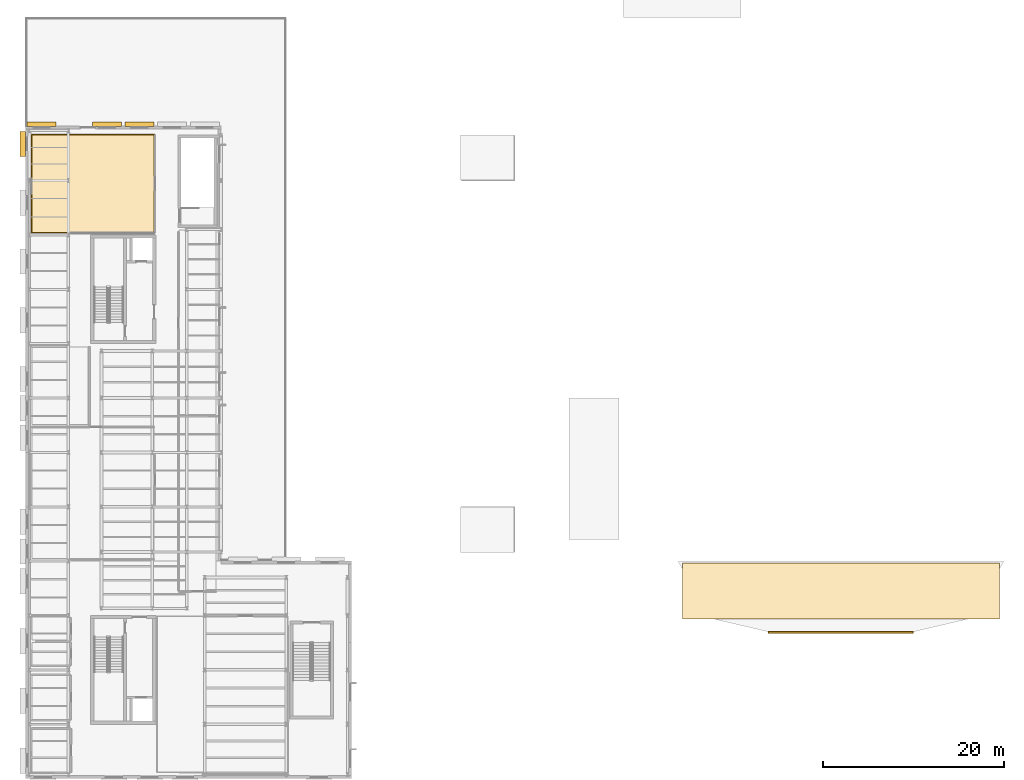
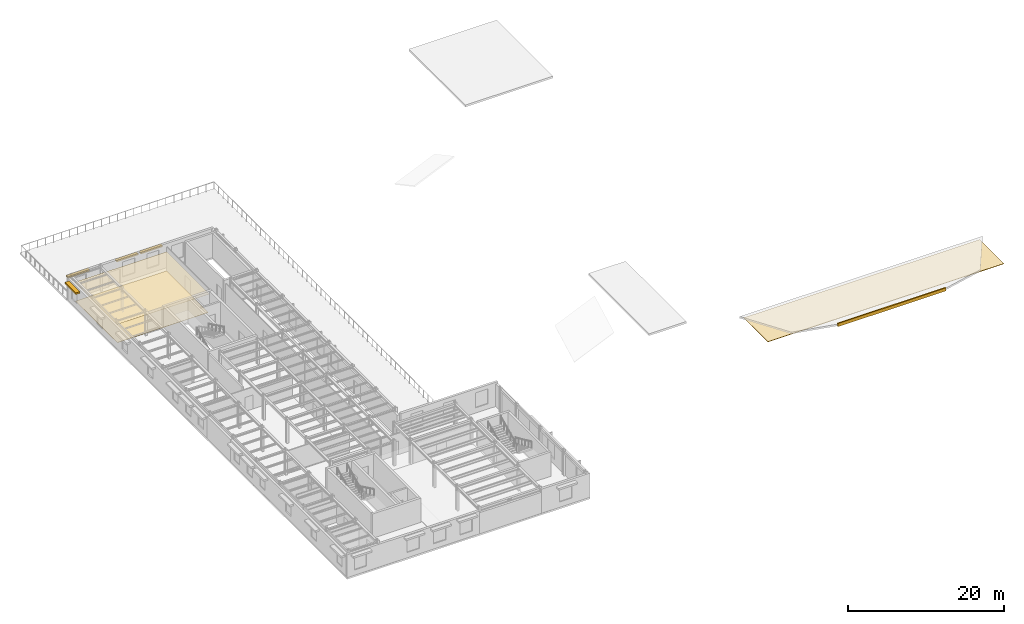
# One storey, part 12 of 13: 4 coverings, 4 shading devices.
"""IFC4 building model written with IfcOpenShell, lengths in metres."""

from ifc_helpers import new_model, si_unit, direction, frame, origin, origin_2d, place, context, subcontext, project, spatial, polyline, rectangle, outline, extrude, material, layer, layer_set, type_object, element, save


model = new_model("IFC4")

# Units and contexts
model_context = context("Model", 3, precision=1e-05, world=origin(), true_north=direction((0.0, 1.0)))
body_context = subcontext(model_context, "Body", "Model", "MODEL_VIEW")
ifc_project = project(units=[si_unit("LENGTHUNIT", "METRE"), si_unit("AREAUNIT", "SQUARE_METRE"), si_unit("VOLUMEUNIT", "CUBIC_METRE"), si_unit("PLANEANGLEUNIT", "RADIAN"), si_unit("MASSUNIT", "GRAM", prefix="KILO")], contexts=[model_context])

# Site, building, storey
site_placement = place(None, origin())
site = spatial("IfcSite", under=ifc_project, at=site_placement, CompositionType="ELEMENT")
building_placement = place(site_placement, origin())
building = spatial("IfcBuilding", under=site, at=building_placement, Name="Kolvaren Corner Interchange", CompositionType="ELEMENT")
storey_placement = place(building_placement, frame((0.0, 0.0, 14.699951171875)))
storey = spatial("IfcBuildingStorey", under=building, at=storey_placement, Name="L04", CompositionType="ELEMENT", Elevation=14.699951171875)

# Coverings
ifc_material_1 = material(Name="Suspended Acoustic Mineral-Fibre Ceiling")
ifc_layer_1 = layer(ifc_material_1, 0.02197265625)
ifc_layer_set_1 = layer_set([ifc_layer_1], Name="Suspended Acoustic Mineral-Fibre Ceiling")
covering_type_1 = type_object("IfcCoveringType", Name="COV-CEIL-AC22", PredefinedType="CEILING", material=ifc_layer_set_1)
covering_1_placement = place(storey_placement, frame((0.0, 0.0, 2.927978515625)))
element("IfcCovering", 1, at=covering_1_placement, inside=storey, type_object=covering_type_1, Name="L04 Courtyard Terrace Staff Lounge Suspended Ceiling", PredefinedType="CEILING", context=body_context, shape_type="SweptSolid", body=[
    extrude(outline(polyline([(0.6298828125, 60.199951171875), (14.312744140625, 60.1845703125), (14.3154296875, 71.11279296875), (0.63720703125, 71.115478515625), (0.6298828125, 60.199951171875)])), origin(), (0.0, 0.0, 1.0), 0.02197265625),
])
ifc_material_2 = material(Name="Polished Niger Delta Granite Terrazzo Flooring", Category="masonry")
ifc_layer_2 = layer(ifc_material_2, 0.030029296875)
ifc_layer_set_2 = layer_set([ifc_layer_2], Name="Polished Niger Delta Granite Terrazzo Flooring")
covering_type_2 = type_object("IfcCoveringType", Name="COV-FLR-TER30", PredefinedType="FLOORING", material=ifc_layer_set_2)
covering_2_placement = place(storey_placement, origin())
element("IfcCovering", 2, at=covering_2_placement, inside=storey, type_object=covering_type_2, Name="L04 Courtyard Terrace Staff Lounge Floor Finish", PredefinedType="FLOORING", context=body_context, shape_type="SweptSolid", body=[
    extrude(outline(polyline([(0.72998046875, 60.280029296875), (14.219970703125, 60.280029296875), (14.219970703125, 71.02001953125), (0.72998046875, 71.02001953125), (0.72998046875, 60.280029296875)])), origin(), (0.0, 0.0, 1.0), 0.030029296875),
])
ifc_material_3 = material(Name="Baffled Monsoon Canopy Acoustic Soffit Panel")
ifc_layer_3 = layer(ifc_material_3, 0.06005859375)
ifc_layer_set_3 = layer_set([ifc_layer_3], Name="Baffled Monsoon Canopy Acoustic Soffit Panel")
covering_type_3 = type_object("IfcCoveringType", Name="COV-SOFFIT-60", PredefinedType="CEILING", material=ifc_layer_set_3)
covering_3_placement = place(storey_placement, frame((0.0, 0.0, 0.860107421875)))
element("IfcCovering", 3, at=covering_3_placement, inside=storey, type_object=covering_type_3, Name="South Portal Upper Monsoon Soffit", PredefinedType="CEILING", context=body_context, shape_type="SweptSolid", body=[
    extrude(outline(polyline([(72.5, 17.60009765625), (107.5, 17.60009765625), (107.5, 23.800048828125), (72.5, 23.800048828125), (72.5, 17.60009765625)])), origin(), (0.0, 0.0, 1.0), 0.06005859375),
])
ifc_material_4 = material(Name="Glazed White Terracotta Fascia Cladding", Category="masonry")
ifc_layer_4 = layer(ifc_material_4, 0.0400390625)
ifc_layer_set_4 = layer_set([ifc_layer_4], Name="Glazed White Terracotta Fascia Cladding")
covering_type_4 = type_object("IfcCoveringType", Name="COV-WHT-CLAD40", PredefinedType="CLADDING", material=ifc_layer_set_4)
covering_4_placement = place(storey_placement, frame((0.0, 0.0, 0.880126953125)))
element("IfcCovering", 4, at=covering_4_placement, inside=storey, type_object=covering_type_4, Name="South Portal Top Overhanging White Lid Band", PredefinedType="CLADDING", context=body_context, shape_type="SweptSolid", body=[
    extrude(outline(polyline([(82.0, 16.050048828125), (98.0, 16.050048828125), (98.0, 16.25), (82.0, 16.25), (82.0, 16.050048828125)])), origin(), (0.0, 0.0, 1.0), 0.5),
])

# Shading devices
ifc_material_5 = material(Name="Glazed Ochre Ceramic Baguette Solar Louvre")
shading_device_type_1 = type_object("IfcShadingDeviceType", Name="SHD-BAG-H450", PredefinedType="JALOUSIE", material=ifc_material_5)
for number, where, z_axis, x_axis, name in (
    (5, (12.60009765625, 72.215087890625, 3.2001953125), (0.0, 0.0, 1.0), (-1.0, 0.0, 0.0), "L04 Ceramic Solar Shading 0102"),
    (6, (9.0, 72.215087890625, 3.2001953125), (0.0, 0.0, 1.0), (-1.0, 0.0, 0.0), "L04 Ceramic Solar Shading 0103"),
    (7, (1.800048828125, 72.215087890625, 3.2001953125), (0.0, 0.0, 1.0), (-1.0, 0.0, 0.0), "L04 Ceramic Solar Shading 0104"),
):
    element("IfcShadingDevice", number, at=place(storey_placement, frame(where, z_axis=z_axis, x_axis=x_axis)), inside=storey, type_object=shading_device_type_1, Name=name, PredefinedType="JALOUSIE", context=body_context, shape_type="SweptSolid", body=[
        extrude(rectangle(XDim=3.199951171875, YDim=0.449951171875, at=origin_2d()), origin(), (0.0, 0.0, 1.0), 0.219970703125),
    ])
ifc_material_6 = material(Name="Cream Ceramic Baguette Brise-Soleil")
shading_device_type_2 = type_object("IfcShadingDeviceType", Name="SHD-BAG-H600", PredefinedType="JALOUSIE", material=ifc_material_6)
shading_device_placement = place(storey_placement, frame((-0.2900390625, 70.0390625, 2.93017578125), z_axis=(0.0, 0.0, 1.0), x_axis=(0.0, -1.0, 0.0)))
element("IfcShadingDevice", 8, at=shading_device_placement, inside=storey, type_object=shading_device_type_2, Name="L04 Ceramic Solar Shading 0105", PredefinedType="JALOUSIE", context=body_context, shape_type="SweptSolid", body=[
    extrude(rectangle(XDim=2.800048828125, YDim=0.60009765625, at=origin_2d()), origin(), (0.0, 0.0, 1.0), 0.260009765625),
])

save(model, "model.ifc")
